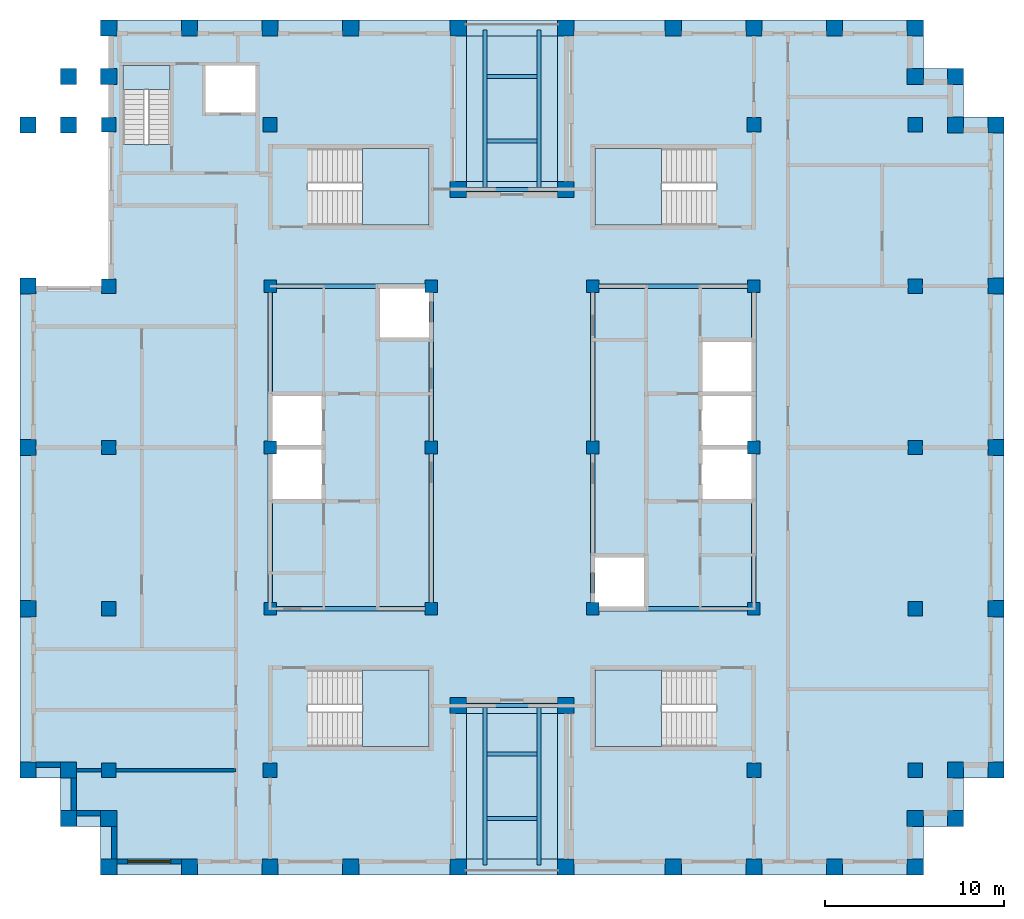
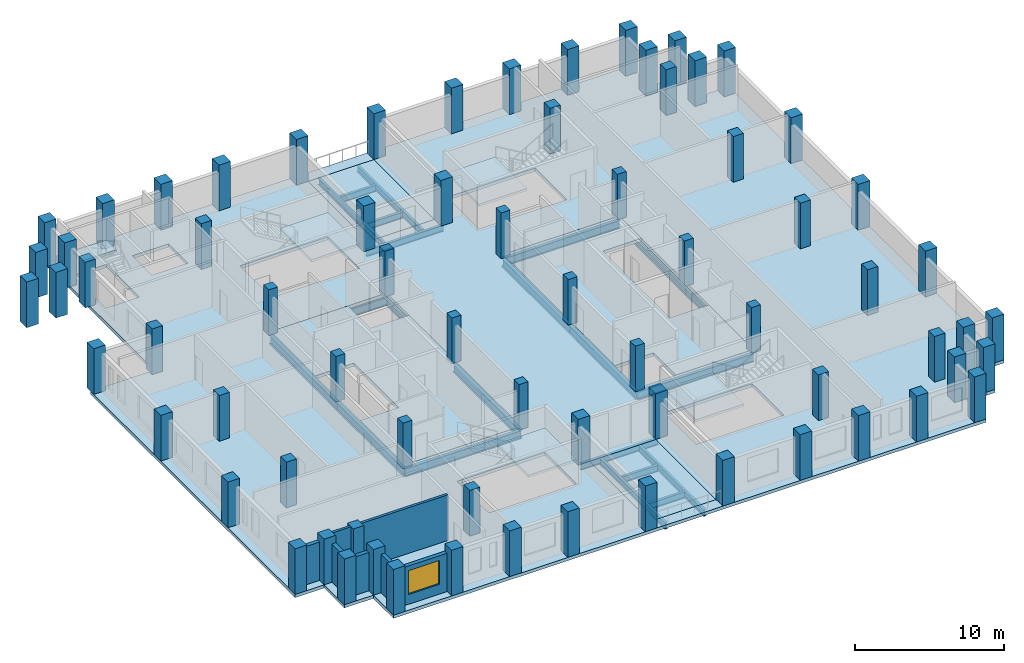
# One storey, part 1 of 9: 72 columns, 22 beams, 10 slabs, 6 walls, 1 window, 1 opening, 5 elements without a shape of their own.
"""IFC4 building model written with IfcOpenShell, lengths in metres."""

from ifc_helpers import new_model, si_unit, direction, frame, frame_2d, origin, origin_2d, place, context, subcontext, project, spatial, polyline, rectangle, i_section, outline, extrude, material, layer, layer_set, material_profile, profile_set, type_object, element, fill, aggregate, save


model = new_model("IFC4")

# Units and contexts
model_context = context("Model", 3, precision=1e-05, world=origin(), true_north=direction((0.0, 1.0)))
body_context = subcontext(model_context, "Body", "Model", "MODEL_VIEW")
ifc_project = project(units=[si_unit("LENGTHUNIT", "METRE"), si_unit("AREAUNIT", "SQUARE_METRE"), si_unit("VOLUMEUNIT", "CUBIC_METRE"), si_unit("PLANEANGLEUNIT", "RADIAN"), si_unit("MASSUNIT", "GRAM", prefix="KILO")], contexts=[model_context])

# Site, building, storey
site_placement = place(None, origin())
site = spatial("IfcSite", under=ifc_project, at=site_placement, CompositionType="ELEMENT")
building_placement = place(site_placement, origin())
building = spatial("IfcBuilding", under=site, at=building_placement, Name="Corbelhall Arena Tower", CompositionType="ELEMENT")
storey_placement = place(building_placement, frame((0.0, 0.0, 300.0)))
storey = spatial("IfcBuildingStorey", under=building, at=storey_placement, Name="L65", CompositionType="ELEMENT", Elevation=300.0)

# Columns
ifc_material_1 = material(Name="Concrete C80/95", Category="concrete")
ifc_material_profile_1 = material_profile(ifc_material_1, rectangle(XDim=0.699951171875, YDim=0.699951171875, at=origin_2d()))
ifc_profile_set_1 = profile_set([ifc_material_profile_1], Name="Concrete C80/95")
column_type_1 = type_object("IfcColumnType", Name="ST-COL-RC 700x700", PredefinedType="COLUMN", material=ifc_profile_set_1)
for number, where, z_axis, x_axis, name in (
    (1, (4.5, 0.0, 0.0), (0.0, 0.0, 1.0), (1.0, 0.0, 0.0), "Column KE+0450+0000"),
    (2, (4.5, 9.0, 0.0), (0.0, 0.0, 1.0), (1.0, 0.0, 0.0), "Column KE+0450+0900"),
    (3, (4.5, -9.0, 0.0), (0.0, 0.0, 1.0), (1.0, 0.0, 0.0), "Column KE+0450-0900"),
    (4, (13.5, 0.0, 0.0), (0.0, 0.0, 1.0), (1.0, 0.0, 0.0), "Column KE+1350+0000"),
    (5, (13.5, 9.0, 0.0), (0.0, 0.0, 1.0), (1.0, 0.0, 0.0), "Column KE+1350+0900"),
    (6, (13.5, -9.0, 0.0), (0.0, 0.0, 1.0), (1.0, 0.0, 0.0), "Column KE+1350-0900"),
    (7, (-4.5, 0.0, 0.0), (0.0, 0.0, 1.0), (1.0, 0.0, 0.0), "Column KW-0450+0000"),
    (8, (-4.5, 9.0, 0.0), (0.0, 0.0, 1.0), (1.0, 0.0, 0.0), "Column KW-0450+0900"),
    (9, (-4.5, -9.0, 0.0), (0.0, 0.0, 1.0), (1.0, 0.0, 0.0), "Column KW-0450-0900"),
    (10, (-13.5, 0.0, 0.0), (0.0, 0.0, 1.0), (1.0, 0.0, 0.0), "Column KW-1350+0000"),
    (11, (-13.5, 9.0, 0.0), (0.0, 0.0, 1.0), (1.0, 0.0, 0.0), "Column KW-1350+0900"),
    (12, (-13.5, -9.0, 0.0), (0.0, 0.0, 1.0), (1.0, 0.0, 0.0), "Column KW-1350-0900"),
):
    element("IfcColumn", number, at=place(storey_placement, frame(where, z_axis=z_axis, x_axis=x_axis)), inside=storey, type_object=column_type_1, Name=name, PredefinedType="COLUMN", context=body_context, shape_type="SweptSolid", body=[
        extrude(rectangle(XDim=0.699951171875, YDim=0.699951171875, at=origin_2d()), origin(), (0.0, 0.0, 1.0), 3.739990234375),
    ])
ifc_material_profile_2 = material_profile(ifc_material_1, rectangle(XDim=0.800048828125, YDim=0.800048828125, at=origin_2d()))
ifc_profile_set_2 = profile_set([ifc_material_profile_2], Name="Concrete C80/95")
column_type_2 = type_object("IfcColumnType", Name="ST-COL-RC 800x800", PredefinedType="COLUMN", material=ifc_profile_set_2)
for number, where, z_axis, x_axis, name in (
    (13, (13.5, 18.0, 0.0), (0.0, 0.0, 1.0), (1.0, 0.0, 0.0), "Column IE13+1800"),
    (14, (13.5, -18.0, 0.0), (0.0, 0.0, 1.0), (1.0, 0.0, 0.0), "Column IE13-1800"),
    (15, (22.5, 0.0, 0.0), (0.0, 0.0, 1.0), (1.0, 0.0, 0.0), "Column IE22+0000"),
    (16, (22.5, 9.0, 0.0), (0.0, 0.0, 1.0), (1.0, 0.0, 0.0), "Column IE22+0900"),
    (17, (22.5, 18.0, 0.0), (0.0, 0.0, 1.0), (1.0, 0.0, 0.0), "Column IE22+1800"),
    (18, (22.5, -9.0, 0.0), (0.0, 0.0, 1.0), (1.0, 0.0, 0.0), "Column IE22-0900"),
    (19, (22.5, -18.0, 0.0), (0.0, 0.0, 1.0), (1.0, 0.0, 0.0), "Column IE22-1800"),
    (20, (-13.5, 18.0, 0.0), (0.0, 0.0, 1.0), (1.0, 0.0, 0.0), "Column IW13+1800"),
    (21, (-13.5, -18.0, 0.0), (0.0, 0.0, 1.0), (1.0, 0.0, 0.0), "Column IW13-1800"),
    (22, (-22.5, 0.0, 0.0), (0.0, 0.0, 1.0), (1.0, 0.0, 0.0), "Column IW22+0000"),
    (23, (-22.5, 9.0, 0.0), (0.0, 0.0, 1.0), (1.0, 0.0, 0.0), "Column IW22+0900"),
    (24, (-22.5, 18.0, 0.0), (0.0, 0.0, 1.0), (1.0, 0.0, 0.0), "Column IW22+1800"),
    (25, (-22.5, -9.0, 0.0), (0.0, 0.0, 1.0), (1.0, 0.0, 0.0), "Column IW22-0900"),
    (26, (-22.5, -18.0, 0.0), (0.0, 0.0, 1.0), (1.0, 0.0, 0.0), "Column IW22-1800"),
):
    element("IfcColumn", number, at=place(storey_placement, frame(where, z_axis=z_axis, x_axis=x_axis)), inside=storey, type_object=column_type_2, Name=name, PredefinedType="COLUMN", context=body_context, shape_type="SweptSolid", body=[
        extrude(rectangle(XDim=0.800048828125, YDim=0.800048828125, at=origin_2d()), origin(), (0.0, 0.0, 1.0), 3.739990234375),
    ])
ifc_material_profile_3 = material_profile(ifc_material_1, rectangle(XDim=0.89990234375, YDim=0.89990234375, at=origin_2d()))
ifc_profile_set_3 = profile_set([ifc_material_profile_3], Name="Concrete C80/95")
column_type_3 = type_object("IfcColumnType", Name="ST-COL-RC 900x900", PredefinedType="COLUMN", material=ifc_profile_set_3)
for number, where, z_axis, x_axis, name in (
    (27, (27.0, 0.0, 0.0), (0.0, 0.0, 1.0), (0.0, 1.0, 0.0), "Column PE+0000"),
    (28, (27.0, 9.0, 0.0), (0.0, 0.0, 1.0), (0.0, 1.0, 0.0), "Column PE+0900"),
    (29, (27.0, 18.0, 0.0), (0.0, 0.0, 1.0), (0.0, 1.0, 0.0), "Column PE+1800"),
    (30, (27.0, -9.0, 0.0), (0.0, 0.0, 1.0), (0.0, 1.0, 0.0), "Column PE-0900"),
    (31, (27.0, -18.0, 0.0), (0.0, 0.0, 1.0), (0.0, 1.0, 0.0), "Column PE-1800"),
    (32, (3.0, 23.39990234375, 0.0), (0.0, 0.0, 1.0), (1.0, 0.0, 0.0), "Column PNE0300"),
    (33, (9.0, 23.39990234375, 0.0), (0.0, 0.0, 1.0), (1.0, 0.0, 0.0), "Column PNE0900"),
    (34, (13.5, 23.39990234375, 0.0), (0.0, 0.0, 1.0), (1.0, 0.0, 0.0), "Column PNE1350"),
    (35, (18.0, 23.39990234375, 0.0), (0.0, 0.0, 1.0), (1.0, 0.0, 0.0), "Column PNE1800"),
    (36, (22.5, 23.39990234375, 0.0), (0.0, 0.0, 1.0), (1.0, 0.0, 0.0), "Column PNE2250"),
    (37, (-3.0, 23.39990234375, 0.0), (0.0, 0.0, 1.0), (1.0, 0.0, 0.0), "Column PNW0300"),
    (38, (-9.0, 23.39990234375, 0.0), (0.0, 0.0, 1.0), (1.0, 0.0, 0.0), "Column PNW0900"),
    (39, (-13.5, 23.39990234375, 0.0), (0.0, 0.0, 1.0), (1.0, 0.0, 0.0), "Column PNW1350"),
    (40, (-18.0, 23.39990234375, 0.0), (0.0, 0.0, 1.0), (1.0, 0.0, 0.0), "Column PNW1800"),
    (41, (-22.5, 23.39990234375, 0.0), (0.0, 0.0, 1.0), (1.0, 0.0, 0.0), "Column PNW2250"),
    (42, (3.0, -23.39990234375, 0.0), (0.0, 0.0, 1.0), (1.0, 0.0, 0.0), "Column PSE0300"),
    (43, (9.0, -23.39990234375, 0.0), (0.0, 0.0, 1.0), (1.0, 0.0, 0.0), "Column PSE0900"),
    (44, (13.5, -23.39990234375, 0.0), (0.0, 0.0, 1.0), (1.0, 0.0, 0.0), "Column PSE1350"),
    (45, (18.0, -23.39990234375, 0.0), (0.0, 0.0, 1.0), (1.0, 0.0, 0.0), "Column PSE1800"),
    (46, (22.5, -23.39990234375, 0.0), (0.0, 0.0, 1.0), (1.0, 0.0, 0.0), "Column PSE2250"),
    (47, (-3.0, -23.39990234375, 0.0), (0.0, 0.0, 1.0), (1.0, 0.0, 0.0), "Column PSW0300"),
    (48, (-9.0, -23.39990234375, 0.0), (0.0, 0.0, 1.0), (1.0, 0.0, 0.0), "Column PSW0900"),
    (49, (-13.5, -23.39990234375, 0.0), (0.0, 0.0, 1.0), (1.0, 0.0, 0.0), "Column PSW1350"),
    (50, (-18.0, -23.39990234375, 0.0), (0.0, 0.0, 1.0), (1.0, 0.0, 0.0), "Column PSW1800"),
    (51, (-22.5, -23.39990234375, 0.0), (0.0, 0.0, 1.0), (1.0, 0.0, 0.0), "Column PSW2250"),
    (52, (-27.0, 0.0, 0.0), (0.0, 0.0, 1.0), (0.0, 1.0, 0.0), "Column PW+0000"),
    (53, (-27.0, 9.0, 0.0), (0.0, 0.0, 1.0), (0.0, 1.0, 0.0), "Column PW+0900"),
    (54, (-27.0, 18.0, 0.0), (0.0, 0.0, 1.0), (0.0, 1.0, 0.0), "Column PW+1800"),
    (55, (-27.0, -9.0, 0.0), (0.0, 0.0, 1.0), (0.0, 1.0, 0.0), "Column PW-0900"),
    (56, (-27.0, -18.0, 0.0), (0.0, 0.0, 1.0), (0.0, 1.0, 0.0), "Column PW-1800"),
    (57, (3.0, 14.39990234375, 0.0), (0.0, 0.0, 1.0), (1.0, 0.0, 0.0), "Column SLNE2"),
    (58, (-3.0, 14.39990234375, 0.0), (0.0, 0.0, 1.0), (1.0, 0.0, 0.0), "Column SLNW2"),
    (59, (3.0, -14.39990234375, 0.0), (0.0, 0.0, 1.0), (1.0, 0.0, 0.0), "Column SLSE2"),
    (60, (-3.0, -14.39990234375, 0.0), (0.0, 0.0, 1.0), (1.0, 0.0, 0.0), "Column SLSW2"),
    (61, (22.5, 20.699951171875, 0.0), (0.0, 0.0, 1.0), (1.0, 0.0, 0.0), "Column XNE1"),
    (62, (24.75, 20.699951171875, 0.0), (0.0, 0.0, 1.0), (1.0, 0.0, 0.0), "Column XNE2"),
    (63, (24.75, 18.0, 0.0), (0.0, 0.0, 1.0), (1.0, 0.0, 0.0), "Column XNE3"),
    (64, (-22.5, 20.699951171875, 0.0), (0.0, 0.0, 1.0), (1.0, 0.0, 0.0), "Column XNW1"),
    (65, (-24.75, 20.699951171875, 0.0), (0.0, 0.0, 1.0), (1.0, 0.0, 0.0), "Column XNW2"),
    (66, (-24.75, 18.0, 0.0), (0.0, 0.0, 1.0), (1.0, 0.0, 0.0), "Column XNW3"),
    (67, (22.5, -20.699951171875, 0.0), (0.0, 0.0, 1.0), (1.0, 0.0, 0.0), "Column XSE1"),
    (68, (24.75, -20.699951171875, 0.0), (0.0, 0.0, 1.0), (1.0, 0.0, 0.0), "Column XSE2"),
    (69, (24.75, -18.0, 0.0), (0.0, 0.0, 1.0), (1.0, 0.0, 0.0), "Column XSE3"),
    (70, (-22.5, -20.699951171875, 0.0), (0.0, 0.0, 1.0), (1.0, 0.0, 0.0), "Column XSW1"),
    (71, (-24.75, -20.699951171875, 0.0), (0.0, 0.0, 1.0), (1.0, 0.0, 0.0), "Column XSW2"),
    (72, (-24.75, -18.0, 0.0), (0.0, 0.0, 1.0), (1.0, 0.0, 0.0), "Column XSW3"),
):
    element("IfcColumn", number, at=place(storey_placement, frame(where, z_axis=z_axis, x_axis=x_axis)), inside=storey, type_object=column_type_3, Name=name, PredefinedType="COLUMN", context=body_context, shape_type="SweptSolid", body=[
        extrude(rectangle(XDim=0.89990234375, YDim=0.89990234375, at=origin_2d()), origin(), (0.0, 0.0, 1.0), 3.739990234375),
    ])

# Beams
ifc_material_2 = material(Name="Steel ASTM A992 Gr50", Category="steel")
ifc_material_profile_4 = material_profile(ifc_material_2, i_section(OverallWidth=0.209228515625, OverallDepth=0.533447265625, WebThickness=0.01025390625, FlangeThickness=0.015625, at=origin_2d()))
ifc_profile_set_4 = profile_set([ifc_material_profile_4], Name="Steel ASTM A992 Gr50")
beam_type_1 = type_object("IfcBeamType", Name="ST-BEAM-W21x62", PredefinedType="BEAM", material=ifc_profile_set_4)
beam_1_placement = place(storey_placement, frame((-3.0, 14.39990234375, -0.526611328125), z_axis=(1.0, 0.0, 0.0), x_axis=(0.0, 1.0, 0.0)))
element("IfcBeam", 73, at=beam_1_placement, inside=storey, type_object=beam_type_1, Name="Beam SFN 1", PredefinedType="BEAM", context=body_context, shape_type="SweptSolid", body=[
    extrude(i_section(OverallWidth=0.209228515625, OverallDepth=0.533447265625, WebThickness=0.01025390625, FlangeThickness=0.015625, at=origin_2d()), origin(), (0.0, 0.0, 1.0), 6.0),
])
for number, where, z_axis, x_axis, name in (
    (74, (-1.5, 14.504638671875, -0.526611328125), (0.0, 1.0, 0.0), (-1.0, 0.0, 0.0), "Beam SFN 2"),
    (75, (1.5, 14.504638671875, -0.526611328125), (0.0, 1.0, 0.0), (-1.0, 0.0, 0.0), "Beam SFN 3"),
):
    element("IfcBeam", number, at=place(storey_placement, frame(where, z_axis=z_axis, x_axis=x_axis)), inside=storey, type_object=beam_type_1, Name=name, PredefinedType="BEAM", context=body_context, shape_type="SweptSolid", body=[
        extrude(i_section(OverallWidth=0.209228515625, OverallDepth=0.533447265625, WebThickness=0.01025390625, FlangeThickness=0.015625, at=origin_2d()), origin(), (0.0, 0.0, 1.0), 8.790771484375),
    ])
for number, where, z_axis, x_axis, name in (
    (76, (-1.395263671875, 17.10009765625, -0.526611328125), (1.0, 0.0, 0.0), (0.0, 1.0, 0.0), "Beam SFN 4"),
    (77, (-1.395263671875, 20.699951171875, -0.526611328125), (1.0, 0.0, 0.0), (0.0, 1.0, 0.0), "Beam SFN 5"),
):
    element("IfcBeam", number, at=place(storey_placement, frame(where, z_axis=z_axis, x_axis=x_axis)), inside=storey, type_object=beam_type_1, Name=name, PredefinedType="BEAM", context=body_context, shape_type="SweptSolid", body=[
        extrude(i_section(OverallWidth=0.209228515625, OverallDepth=0.533447265625, WebThickness=0.01025390625, FlangeThickness=0.015625, at=origin_2d()), origin(), (0.0, 0.0, 1.0), 2.79052734375),
    ])
beam_2_placement = place(storey_placement, frame((-3.0, -14.39990234375, -0.526611328125), z_axis=(1.0, 0.0, 0.0), x_axis=(0.0, 1.0, 0.0)))
element("IfcBeam", 78, at=beam_2_placement, inside=storey, type_object=beam_type_1, Name="Beam SFS 1", PredefinedType="BEAM", context=body_context, shape_type="SweptSolid", body=[
    extrude(i_section(OverallWidth=0.209228515625, OverallDepth=0.533447265625, WebThickness=0.01025390625, FlangeThickness=0.015625, at=origin_2d()), origin(), (0.0, 0.0, 1.0), 6.0),
])
for number, where, z_axis, x_axis, name in (
    (79, (-1.5, -14.504638671875, -0.526611328125), (0.0, -1.0, 0.0), (1.0, 0.0, 0.0), "Beam SFS 2"),
    (80, (1.5, -14.504638671875, -0.526611328125), (0.0, -1.0, 0.0), (1.0, 0.0, 0.0), "Beam SFS 3"),
):
    element("IfcBeam", number, at=place(storey_placement, frame(where, z_axis=z_axis, x_axis=x_axis)), inside=storey, type_object=beam_type_1, Name=name, PredefinedType="BEAM", context=body_context, shape_type="SweptSolid", body=[
        extrude(i_section(OverallWidth=0.209228515625, OverallDepth=0.533447265625, WebThickness=0.01025390625, FlangeThickness=0.015625, at=origin_2d()), origin(), (0.0, 0.0, 1.0), 8.790771484375),
    ])
for number, where, z_axis, x_axis, name in (
    (81, (-1.395263671875, -17.10009765625, -0.526611328125), (1.0, 0.0, 0.0), (0.0, 1.0, 0.0), "Beam SFS 4"),
    (82, (-1.395263671875, -20.699951171875, -0.526611328125), (1.0, 0.0, 0.0), (0.0, 1.0, 0.0), "Beam SFS 5"),
):
    element("IfcBeam", number, at=place(storey_placement, frame(where, z_axis=z_axis, x_axis=x_axis)), inside=storey, type_object=beam_type_1, Name=name, PredefinedType="BEAM", context=body_context, shape_type="SweptSolid", body=[
        extrude(i_section(OverallWidth=0.209228515625, OverallDepth=0.533447265625, WebThickness=0.01025390625, FlangeThickness=0.015625, at=origin_2d()), origin(), (0.0, 0.0, 1.0), 2.79052734375),
    ])
ifc_material_profile_5 = material_profile(ifc_material_2, i_section(OverallWidth=0.25390625, OverallDepth=0.67822265625, WebThickness=0.01171875, FlangeThickness=0.016357421875, at=origin_2d()))
ifc_profile_set_5 = profile_set([ifc_material_profile_5], Name="Steel ASTM A992 Gr50")
beam_type_2 = type_object("IfcBeamType", Name="ST-BEAM-W27x84", PredefinedType="BEAM", material=ifc_profile_set_5)
for number, where, z_axis, x_axis, name in (
    (83, (-13.5, -9.0, -0.59912109375), (0.0, 1.0, 0.0), (-1.0, 0.0, 0.0), "Beam CEW 1"),
    (84, (-13.5, 0.0, -0.59912109375), (0.0, 1.0, 0.0), (-1.0, 0.0, 0.0), "Beam CEW 2"),
    (85, (-4.5, -9.0, -0.59912109375), (0.0, 1.0, 0.0), (-1.0, 0.0, 0.0), "Beam CEW 3"),
    (86, (-4.5, 0.0, -0.59912109375), (0.0, 1.0, 0.0), (-1.0, 0.0, 0.0), "Beam CEW 4"),
    (87, (-13.5, -9.0, -0.59912109375), (1.0, 0.0, 0.0), (0.0, 1.0, 0.0), "Beam CEW 5"),
    (88, (-13.5, 9.0, -0.59912109375), (1.0, 0.0, 0.0), (0.0, 1.0, 0.0), "Beam CEW 6"),
    (89, (4.5, -9.0, -0.59912109375), (0.0, 1.0, 0.0), (-1.0, 0.0, 0.0), "Beam CEE 7"),
    (90, (4.5, 0.0, -0.59912109375), (0.0, 1.0, 0.0), (-1.0, 0.0, 0.0), "Beam CEE 8"),
    (91, (13.5, -9.0, -0.59912109375), (0.0, 1.0, 0.0), (-1.0, 0.0, 0.0), "Beam CEE 9"),
    (92, (13.5, 0.0, -0.59912109375), (0.0, 1.0, 0.0), (-1.0, 0.0, 0.0), "Beam CEE 10"),
    (93, (4.5, -9.0, -0.59912109375), (1.0, 0.0, 0.0), (0.0, 1.0, 0.0), "Beam CEE 11"),
    (94, (4.5, 9.0, -0.59912109375), (1.0, 0.0, 0.0), (0.0, 1.0, 0.0), "Beam CEE 12"),
):
    element("IfcBeam", number, at=place(storey_placement, frame(where, z_axis=z_axis, x_axis=x_axis)), inside=storey, type_object=beam_type_2, Name=name, PredefinedType="BEAM", context=body_context, shape_type="SweptSolid", body=[
        extrude(i_section(OverallWidth=0.25390625, OverallDepth=0.67822265625, WebThickness=0.01171875, FlangeThickness=0.016357421875, at=origin_2d()), origin(), (0.0, 0.0, 1.0), 9.0),
    ])

# Slabs
ifc_material_3 = material(Name="Concrete C40/50", Category="concrete")
ifc_layer_1 = layer(ifc_material_3, 0.300048828125)
ifc_layer_set_1 = layer_set([ifc_layer_1], Name="IN-SL-CORE")
slab_type_1 = type_object("IfcSlabType", Name="IN-SL-CORE", PredefinedType="FLOOR", material=ifc_layer_set_1)
slab_1_placement = place(storey_placement, frame((0.0, 0.0, -0.260009765625)))
element("IfcSlab", 95, at=slab_1_placement, inside=storey, type_object=slab_type_1, Name="Core floor W", PredefinedType="FLOOR", context=body_context, shape_type="SweptSolid", body=[
    extrude(outline(polyline([(-13.5, -3.0), (-13.5, -9.0), (-4.5, -9.0), (-4.5, 6.0), (-7.5, 6.0), (-7.5, 9.0), (-13.5, 9.0), (-13.5, 3.0), (-10.5, 3.0), (-10.5, 0.0), (-10.5, -3.0), (-13.5, -3.0)])), origin(), (0.0, 0.0, 1.0), 0.260009765625),
])
slab_2_placement = place(storey_placement, frame((0.0, 0.0, -0.260009765625)))
element("IfcSlab", 96, at=slab_2_placement, inside=storey, type_object=slab_type_1, Name="Core floor E", PredefinedType="FLOOR", context=body_context, shape_type="SweptSolid", body=[
    extrude(outline(polyline([(10.5, 0.0), (10.5, 3.0), (10.5, 6.0), (13.5, 6.0), (13.5, 9.0), (4.5, 9.0), (4.5, -6.0), (7.5, -6.0), (7.5, -9.0), (13.5, -9.0), (13.5, -3.0), (10.5, -3.0), (10.5, 0.0)])), origin(), (0.0, 0.0, 1.0), 0.260009765625),
])

# Stair, slab
stair_type = type_object("IfcStairType", Name="IN-ST-TOWER", PredefinedType="HALF_TURN_STAIR", material=ifc_material_3)
stair_1_placement = place(storey_placement, origin())
stair_1 = element("IfcStair", 97, at=stair_1_placement, inside=storey, type_object=stair_type, Name="L65 Exit stair ST1", PredefinedType="HALF_TURN_STAIR")
ifc_layer_2 = layer(ifc_material_3, 0.199951171875)
ifc_layer_set_2 = layer_set([ifc_layer_2], Name="IN-SL-LANDING")
slab_type_2 = type_object("IfcSlabType", Name="IN-SL-LANDING", PredefinedType="LANDING", material=ifc_layer_set_2)
slab_3_placement = place(storey_placement, frame((0.0, 0.0, 1.800048828125)))
slab_3 = element("IfcSlab", 98, at=slab_3_placement, type_object=slab_type_2, Name="ST1 landing 1", PredefinedType="LANDING", context=body_context, shape_type="SweptSolid", body=[
    extrude(outline(polyline([(-8.344970703125, 12.425048828125), (-4.625, 12.425048828125), (-4.625, 16.675048828125), (-8.344970703125, 16.675048828125), (-8.344970703125, 12.425048828125)])), origin(), (0.0, 0.0, 1.0), 0.199951171875),
])
aggregate(stair_1, [slab_3])

stair_2_placement = place(storey_placement, origin())
stair_2 = element("IfcStair", 99, at=stair_2_placement, inside=storey, type_object=stair_type, Name="L65 Exit stair ST2", PredefinedType="HALF_TURN_STAIR")
slab_4_placement = place(storey_placement, frame((0.0, 0.0, 1.800048828125)))
slab_4 = element("IfcSlab", 100, at=slab_4_placement, type_object=slab_type_2, Name="ST2 landing 1", PredefinedType="LANDING", context=body_context, shape_type="SweptSolid", body=[
    extrude(outline(polyline([(-8.344970703125, -16.675048828125), (-4.625, -16.675048828125), (-4.625, -12.425048828125), (-8.344970703125, -12.425048828125), (-8.344970703125, -16.675048828125)])), origin(), (0.0, 0.0, 1.0), 0.199951171875),
])
aggregate(stair_2, [slab_4])

stair_3_placement = place(storey_placement, origin())
stair_3 = element("IfcStair", 101, at=stair_3_placement, inside=storey, type_object=stair_type, Name="L65 Exit stair ST3", PredefinedType="HALF_TURN_STAIR")
slab_5_placement = place(storey_placement, frame((0.0, 0.0, 1.800048828125)))
slab_5 = element("IfcSlab", 102, at=slab_5_placement, type_object=slab_type_2, Name="ST3 landing 1", PredefinedType="LANDING", context=body_context, shape_type="SweptSolid", body=[
    extrude(outline(polyline([(8.344970703125, 16.675048828125), (4.625, 16.675048828125), (4.625, 12.425048828125), (8.344970703125, 12.425048828125), (8.344970703125, 16.675048828125)])), origin(), (0.0, 0.0, 1.0), 0.199951171875),
])
aggregate(stair_3, [slab_5])

stair_4_placement = place(storey_placement, origin())
stair_4 = element("IfcStair", 103, at=stair_4_placement, inside=storey, type_object=stair_type, Name="L65 Exit stair ST4", PredefinedType="HALF_TURN_STAIR")
slab_6_placement = place(storey_placement, frame((0.0, 0.0, 1.800048828125)))
slab_6 = element("IfcSlab", 104, at=slab_6_placement, type_object=slab_type_2, Name="ST4 landing 1", PredefinedType="LANDING", context=body_context, shape_type="SweptSolid", body=[
    extrude(outline(polyline([(8.344970703125, -12.425048828125), (4.625, -12.425048828125), (4.625, -16.675048828125), (8.344970703125, -16.675048828125), (8.344970703125, -12.425048828125)])), origin(), (0.0, 0.0, 1.0), 0.199951171875),
])
aggregate(stair_4, [slab_6])

stair_5_placement = place(storey_placement, origin())
stair_5 = element("IfcStair", 105, at=stair_5_placement, inside=storey, type_object=stair_type, Name="L65 Exit stair ST5", PredefinedType="HALF_TURN_STAIR")
slab_7_placement = place(storey_placement, frame((0.0, 0.0, 1.800048828125)))
slab_7 = element("IfcSlab", 106, at=slab_7_placement, type_object=slab_type_2, Name="ST5 landing 1", PredefinedType="LANDING", context=body_context, shape_type="SweptSolid", body=[
    extrude(outline(polyline([(-19.094970703125, 19.97998046875), (-19.094970703125, 21.300048828125), (-21.695068359375, 21.300048828125), (-21.695068359375, 19.97998046875), (-19.094970703125, 19.97998046875)])), origin(), (0.0, 0.0, 1.0), 0.199951171875),
])
aggregate(stair_5, [slab_7])

# Slabs
ifc_layer_3 = layer(ifc_material_3, 0.260009765625)
ifc_layer_set_3 = layer_set([ifc_layer_3], Name="ST-SLAB-FLOOR-260")
slab_type_3 = type_object("IfcSlabType", Name="ST-SLAB-FLOOR-260", PredefinedType="FLOOR", material=ifc_layer_set_3)
slab_8_placement = place(storey_placement, frame((0.0, 0.0, -0.260009765625)))
element("IfcSlab", 107, at=slab_8_placement, inside=storey, type_object=slab_type_3, Name="Floor slab L65 1", PredefinedType="FLOOR", context=body_context, shape_type="SweptSolid", body=[
    extrude(outline(polyline([(22.949951171875, -23.85009765625), (22.949951171875, -21.14990234375), (25.199951171875, -21.14990234375), (25.199951171875, -18.449951171875), (27.449951171875, -18.449951171875), (27.449951171875, 18.449951171875), (25.199951171875, 18.449951171875), (25.199951171875, 21.14990234375), (22.949951171875, 21.14990234375), (22.949951171875, 23.85009765625), (-22.5, 23.85009765625), (-22.5, 9.0), (-27.449951171875, 9.0), (-27.449951171875, -18.449951171875), (-25.199951171875, -18.449951171875), (-25.199951171875, -21.14990234375), (-22.949951171875, -21.14990234375), (-22.949951171875, -23.85009765625), (22.949951171875, -23.85009765625)]), holes=[polyline([(2.550048828125, 22.949951171875), (-2.550048828125, 22.949951171875), (-2.550048828125, 14.85009765625), (2.550048828125, 14.85009765625), (2.550048828125, 22.949951171875)]), polyline([(2.550048828125, -22.949951171875), (2.550048828125, -14.85009765625), (-2.550048828125, -14.85009765625), (-2.550048828125, -22.949951171875), (2.550048828125, -22.949951171875)]), polyline([(-13.5, 9.0), (-13.5, -9.0), (-4.5, -9.0), (-4.5, 9.0), (-13.5, 9.0)]), polyline([(4.5, 9.0), (4.5, -9.0), (13.5, -9.0), (13.5, 9.0), (4.5, 9.0)]), polyline([(-4.625, 16.675048828125), (-11.422119140625, 16.675048828125), (-11.422119140625, 12.425048828125), (-4.625, 12.425048828125), (-4.625, 16.675048828125)]), polyline([(-4.625, -16.675048828125), (-4.625, -12.425048828125), (-11.422119140625, -12.425048828125), (-11.422119140625, -16.675048828125), (-4.625, -16.675048828125)]), polyline([(11.422119140625, 16.675048828125), (4.625, 16.675048828125), (4.625, 12.425048828125), (11.422119140625, 12.425048828125), (11.422119140625, 16.675048828125)]), polyline([(11.422119140625, -16.675048828125), (11.422119140625, -12.425048828125), (4.625, -12.425048828125), (4.625, -16.675048828125), (11.422119140625, -16.675048828125)]), polyline([(-21.695068359375, 21.300048828125), (-21.695068359375, 16.903076171875), (-19.094970703125, 16.903076171875), (-19.094970703125, 21.300048828125), (-21.695068359375, 21.300048828125)]), polyline([(-14.300048828125, 21.300048828125), (-17.10009765625, 21.300048828125), (-17.10009765625, 18.699951171875), (-14.300048828125, 18.699951171875), (-14.300048828125, 21.300048828125)])]), origin(), (0.0, 0.0, 1.0), 0.260009765625),
])
slab_9_placement = place(storey_placement, frame((0.0, 0.0, -0.260009765625)))
element("IfcSlab", 108, at=slab_9_placement, inside=storey, type_object=slab_type_3, Name="Terrace slab T-Z5a-SLOT-N", PredefinedType="FLOOR", context=body_context, shape_type="SweptSolid", body=[
    extrude(outline(polyline([(2.550048828125, 14.85009765625), (2.550048828125, 22.949951171875), (-2.550048828125, 22.949951171875), (-2.550048828125, 14.85009765625), (2.550048828125, 14.85009765625)])), origin(), (0.0, 0.0, 1.0), 0.260009765625),
])
slab_10_placement = place(storey_placement, frame((0.0, 0.0, -0.260009765625)))
element("IfcSlab", 109, at=slab_10_placement, inside=storey, type_object=slab_type_3, Name="Terrace slab T-Z5a-SLOT-S", PredefinedType="FLOOR", context=body_context, shape_type="SweptSolid", body=[
    extrude(outline(polyline([(2.550048828125, -22.949951171875), (2.550048828125, -14.85009765625), (-2.550048828125, -14.85009765625), (-2.550048828125, -22.949951171875), (2.550048828125, -22.949951171875)])), origin(), (0.0, 0.0, 1.0), 0.260009765625),
])

# Walls
ifc_material_4 = material(Name="Precast concrete C40/50 with granite facing", Category="masonry")
ifc_layer_4 = layer(ifc_material_4, 0.300048828125)
ifc_layer_set_4 = layer_set([ifc_layer_4], Name="EV-IW1 Infill panel 300")
wall_type_1 = type_object("IfcWallType", Name="EV-IW1 Infill panel 300", PredefinedType="SOLIDWALL", material=ifc_layer_set_4)
wall_1_placement = place(storey_placement, frame((-26.550048828125, -17.699951171875, 0.0), z_axis=(0.0, 0.0, 1.0), x_axis=(1.0, 0.0, 0.0)))
element("IfcWall", 110, at=wall_1_placement, inside=storey, type_object=wall_type_1, Name="Infill panel IW1", PredefinedType="SOLIDWALL", context=body_context, shape_type="SweptSolid", body=[
    extrude(rectangle(XDim=1.35009765625, YDim=0.300048828125, at=frame_2d((0.675048828125, 0.0))), origin(), (0.0, 0.0, 1.0), 3.139892578125),
])
wall_2_placement = place(storey_placement, frame((-24.449951171875, -18.449951171875, 0.0), z_axis=(0.0, 0.0, 1.0), x_axis=(0.0, -1.0, 0.0)))
element("IfcWall", 111, at=wall_2_placement, inside=storey, type_object=wall_type_1, Name="Infill panel IW1", PredefinedType="SOLIDWALL", context=body_context, shape_type="SweptSolid", body=[
    extrude(rectangle(XDim=1.800048828125, YDim=0.300048828125, at=frame_2d((0.89990234375, 0.0))), origin(), (0.0, 0.0, 1.0), 3.139892578125),
])
wall_3_placement = place(storey_placement, frame((-24.300048828125, -20.39990234375, 0.0), z_axis=(0.0, 0.0, 1.0), x_axis=(1.0, 0.0, 0.0)))
element("IfcWall", 112, at=wall_3_placement, inside=storey, type_object=wall_type_1, Name="Infill panel IW1", PredefinedType="SOLIDWALL", context=body_context, shape_type="SweptSolid", body=[
    extrude(rectangle(XDim=1.35009765625, YDim=0.300048828125, at=frame_2d((0.675048828125, 0.0))), origin(), (0.0, 0.0, 1.0), 3.139892578125),
])
wall_4_placement = place(storey_placement, frame((-22.199951171875, -21.14990234375, 0.0), z_axis=(0.0, 0.0, 1.0), x_axis=(0.0, -1.0, 0.0)))
element("IfcWall", 113, at=wall_4_placement, inside=storey, type_object=wall_type_1, Name="Infill panel IW1", PredefinedType="SOLIDWALL", context=body_context, shape_type="SweptSolid", body=[
    extrude(rectangle(XDim=1.800048828125, YDim=0.300048828125, at=frame_2d((0.89990234375, 0.0))), origin(), (0.0, 0.0, 1.0), 3.139892578125),
])

# Wall, opening, window
wall_5_placement = place(storey_placement, frame((-22.050048828125, -23.10009765625, 0.0), z_axis=(0.0, 0.0, 1.0), x_axis=(1.0, 0.0, 0.0)))
wall_5 = element("IfcWall", 114, at=wall_5_placement, inside=storey, type_object=wall_type_1, Name="Infill panel IW1", PredefinedType="SOLIDWALL", context=body_context, shape_type="SweptSolid", body=[
    extrude(rectangle(XDim=3.60009765625, YDim=0.300048828125, at=frame_2d((1.800048828125, 0.0))), origin(), (0.0, 0.0, 1.0), 3.139892578125),
])
opening_placement = place(wall_5_placement, frame((0.60009765625, 0.0, 0.800048828125)))
opening = element("IfcOpeningElement", 115, at=opening_placement, cuts=wall_5, Name="Opening WN1", PredefinedType="OPENING", context=body_context, shape_type="SweptSolid", body=[
    extrude(rectangle(XDim=2.39990234375, YDim=1.949951171875, at=frame_2d((1.199951171875, 0.97509765625))), frame((0.0, 0.14990234375, 0.0), z_axis=(0.0, -1.0, 0.0), x_axis=(1.0, 0.0, 0.0)), (0.0, 0.0, 1.0), 0.300048828125),
])
ifc_material_5 = material(Name="Aluminium black anodised", Category="aluminium")
window_type = type_object("IfcWindowType", Name="EV-WN1 Office window", PartitioningType="SINGLE_PANEL", PredefinedType="WINDOW", material=ifc_material_5)
window_placement = place(opening_placement, origin())
window = element("IfcWindow", 116, at=window_placement, inside=storey, type_object=window_type, Name="Window WN1", OverallHeight=1.949951171875, OverallWidth=2.39990234375, PartitioningType="SINGLE_PANEL", PredefinedType="WINDOW", context=body_context, shape_type="SweptSolid", body=[
    extrude(rectangle(XDim=2.39990234375, YDim=1.949951171875, at=frame_2d((1.199951171875, 0.97509765625))), frame((0.0, 0.030029296875, 0.0), z_axis=(0.0, -1.0, 0.0), x_axis=(1.0, 0.0, 0.0)), (0.0, 0.0, 1.0), 0.06005859375),
])
fill(opening, window)

# Wall
ifc_material_6 = material(Name="Gypsum board on steel stud, acoustic", Category="steel")
ifc_layer_5 = layer(ifc_material_6, 0.199951171875)
ifc_layer_set_5 = layer_set([ifc_layer_5], Name="IN-W-DM200")
wall_type_2 = type_object("IfcWallType", Name="IN-W-DM200", PredefinedType="PARTITIONING", material=ifc_layer_set_5)
wall_6_placement = place(storey_placement, frame((-24.300048828125, -18.0, 0.0), z_axis=(0.0, 0.0, 1.0), x_axis=(1.0, 0.0, 0.0)))
element("IfcWall", 117, at=wall_6_placement, inside=storey, type_object=wall_type_2, Name="Partition 004", PredefinedType="PARTITIONING", context=body_context, shape_type="SweptSolid", body=[
    extrude(rectangle(XDim=8.900146484375, YDim=0.199951171875, at=frame_2d((4.4501953125, 0.0))), origin(), (0.0, 0.0, 1.0), 3.739990234375),
])

save(model, "model.ifc")
